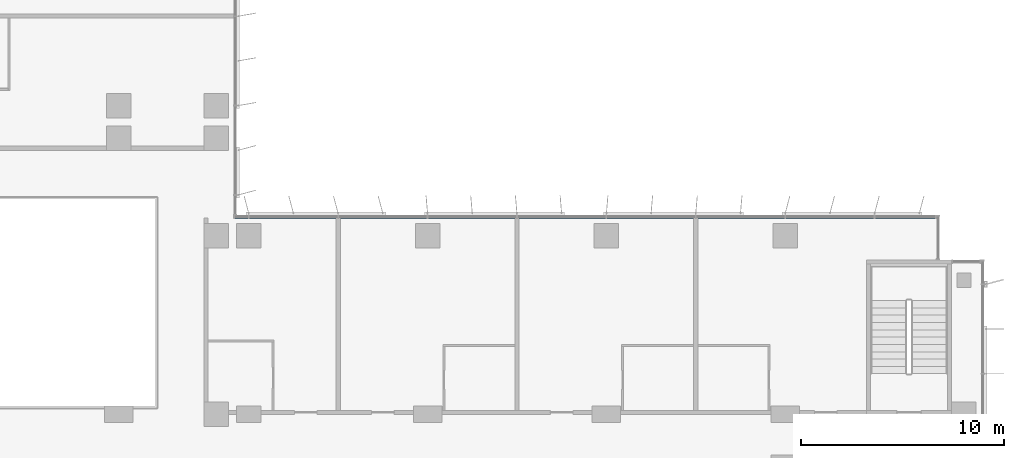
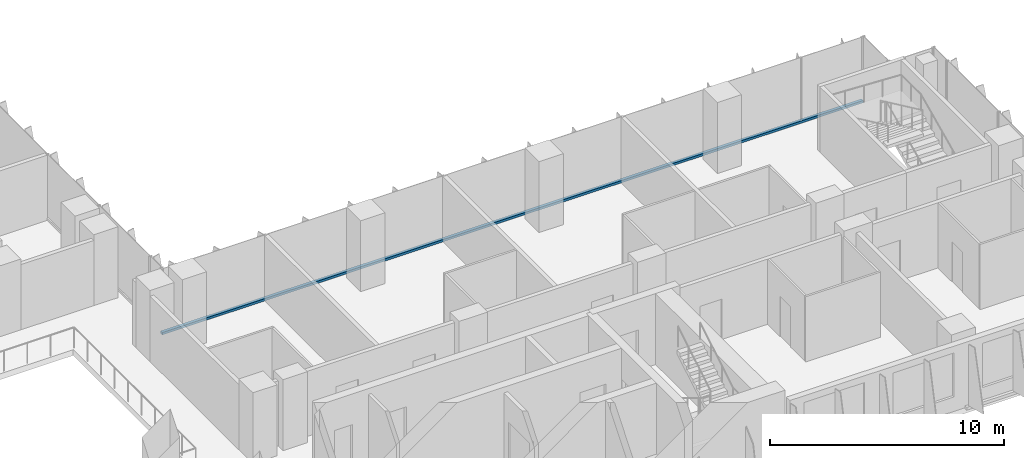
# One storey, part 3 of 22: 1 member, 1 element without a shape of its own.
"""IFC4 building model written with IfcOpenShell, lengths in metres."""

from ifc_helpers import new_model, si_unit, direction, frame, origin, origin_2d, place, context, subcontext, project, spatial, rectangle, extrude, material, material_profile, profile_set, type_object, element, aggregate, save


model = new_model("IFC4")

# Units and contexts
model_context = context("Model", 3, precision=1e-05, world=origin(), true_north=direction((0.0, 1.0)))
body_context = subcontext(model_context, "Body", "Model", "MODEL_VIEW")
ifc_project = project(units=[si_unit("LENGTHUNIT", "METRE"), si_unit("AREAUNIT", "SQUARE_METRE"), si_unit("VOLUMEUNIT", "CUBIC_METRE"), si_unit("PLANEANGLEUNIT", "RADIAN"), si_unit("MASSUNIT", "GRAM", prefix="KILO")], contexts=[model_context])

# Site, building, storey
site_placement = place(None, origin())
site = spatial("IfcSite", under=ifc_project, at=site_placement, CompositionType="ELEMENT")
building_placement = place(site_placement, origin())
building = spatial("IfcBuilding", under=site, at=building_placement, Name="Kemantara Hotel Tower", CompositionType="ELEMENT")
storey_placement = place(building_placement, frame((0.0, 0.0, 125.89990234375)))
storey = spatial("IfcBuildingStorey", under=building, at=storey_placement, Name="L30", CompositionType="ELEMENT", Elevation=125.89990234375)

# Curtain wall, member
ifc_material_1 = material(Name="Low-E tinted double insulated glass 36 mm", Category="glass")
curtain_wall_type = type_object("IfcCurtainWallType", Name="TOWER CURTAIN WALL, FRONT FACES", PredefinedType="USERDEFINED", material=ifc_material_1)
curtain_wall_placement = place(storey_placement, origin())
curtain_wall = element("IfcCurtainWall", 1, at=curtain_wall_placement, inside=storey, type_object=curtain_wall_type, Name="CW4 L30 T2-R13-1", ObjectType="TOWER CURTAIN WALL, FRONT FACES", PredefinedType="USERDEFINED")
ifc_material_2 = material(Name="Aluminium 6063-T6 bronze anodised", Category="aluminium")
ifc_material_profile = material_profile(ifc_material_2, rectangle(XDim=0.14990234375, YDim=0.1201171875, at=origin_2d()), Name="TOWER CURTAIN WALL, FRONT FACES TRANSOM")
ifc_profile_set = profile_set([ifc_material_profile], Name="Aluminium 6063-T6 bronze anodised")
member_type = type_object("IfcMemberType", Name="TOWER CURTAIN WALL, FRONT FACES TRANSOM", PredefinedType="USERDEFINED", material=ifc_profile_set)
member_placement = place(storey_placement, frame((61.25, 21.925048828125, 0.06005859375), z_axis=(-1.0, 0.0, 0.0), x_axis=(0.0, -1.0, 0.0)))
member = element("IfcMember", 2, at=member_placement, type_object=member_type, Name="CW4 sill transom T2-R13-1", ObjectType="TRANSOM", PredefinedType="USERDEFINED", context=body_context, shape_type="SweptSolid", body=[
    extrude(rectangle(XDim=0.14990234375, YDim=0.1201171875, at=origin_2d()), origin(), (0.0, 0.0, 1.0), 34.60009765625),
])
aggregate(curtain_wall, [member])

save(model, "model.ifc")
